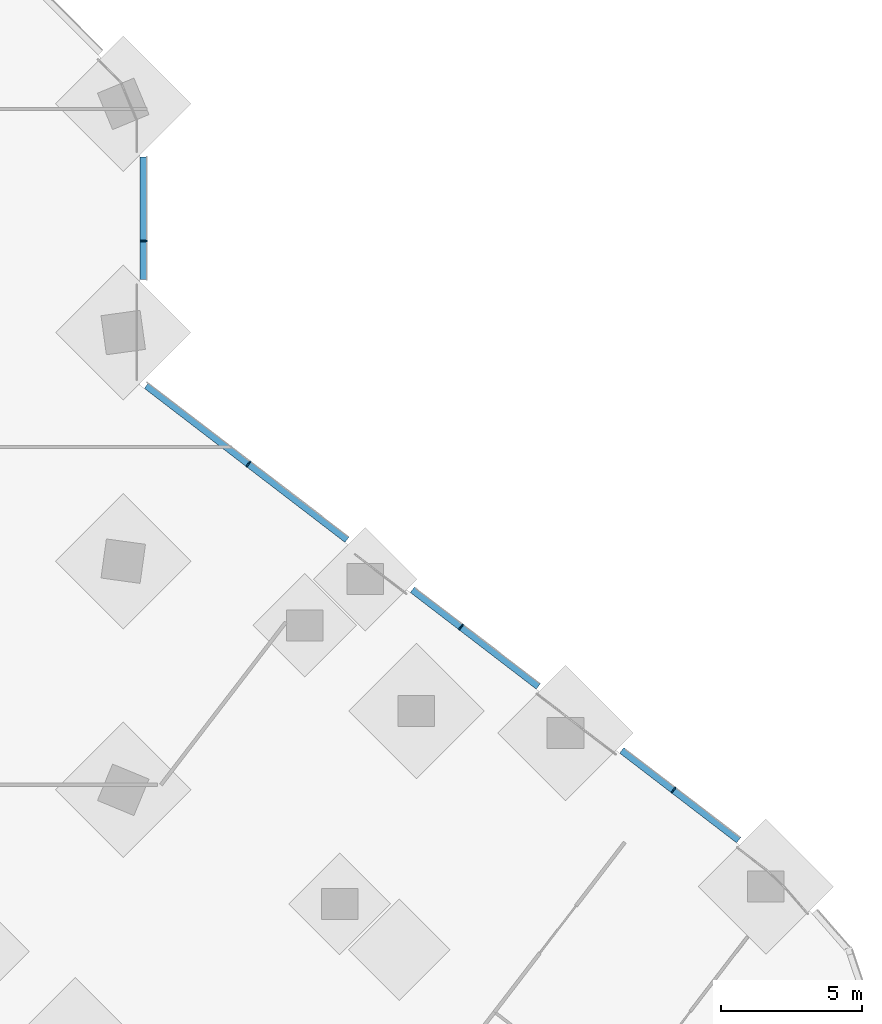
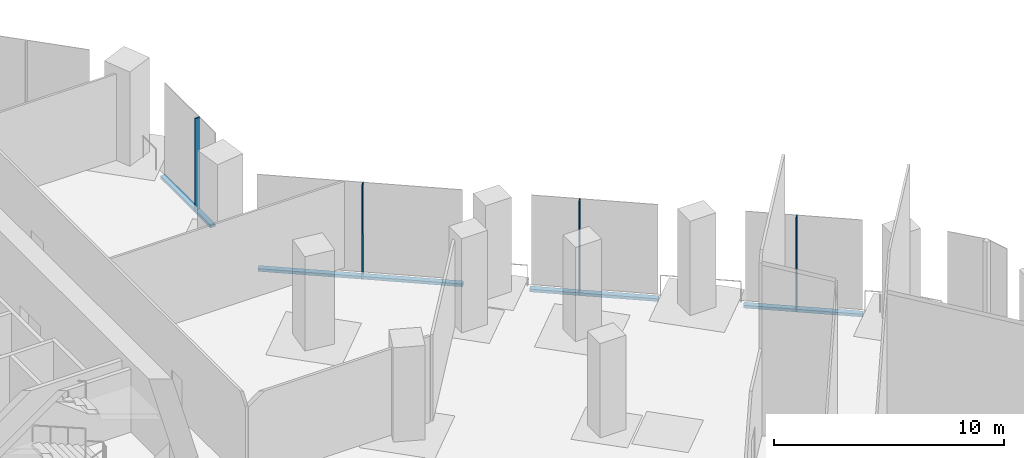
# One storey, part 9 of 27: 8 members, 2 elements without a shape of their own.
"""IFC4 building model written with IfcOpenShell, lengths in metres."""

from ifc_helpers import new_model, si_unit, direction, frame, origin, origin_2d, place, context, subcontext, project, spatial, rectangle, extrude, material, material_profile, profile_set, type_object, element, aggregate, save


model = new_model("IFC4")

# Units and contexts
model_context = context("Model", 3, precision=1e-05, world=origin(), true_north=direction((0.0, 1.0)))
body_context = subcontext(model_context, "Body", "Model", "MODEL_VIEW")
ifc_project = project(units=[si_unit("LENGTHUNIT", "METRE"), si_unit("AREAUNIT", "SQUARE_METRE"), si_unit("VOLUMEUNIT", "CUBIC_METRE"), si_unit("PLANEANGLEUNIT", "RADIAN"), si_unit("MASSUNIT", "GRAM", prefix="KILO")], contexts=[model_context])

# Site, building, storey
site_placement = place(None, origin())
site = spatial("IfcSite", under=ifc_project, at=site_placement, CompositionType="ELEMENT")
building_placement = place(site_placement, origin())
building = spatial("IfcBuilding", under=site, at=building_placement, Name="Orlundy Tower", CompositionType="ELEMENT")
storey_placement = place(building_placement, frame((0.0, 0.0, 10.5)))
storey = spatial("IfcBuildingStorey", under=building, at=storey_placement, Name="L01", CompositionType="ELEMENT", Elevation=10.5)

# Curtain wall, member
ifc_material_1 = material(Name="Aluminium bronze anodised", Category="aluminium")
curtain_wall_type = type_object("IfcCurtainWallType", Name="CW2 wall", PredefinedType="NOTDEFINED", material=ifc_material_1)
curtain_wall_1_placement = place(storey_placement, origin())
curtain_wall_1 = element("IfcCurtainWall", 1, at=curtain_wall_1_placement, inside=storey, type_object=curtain_wall_type, Name="CW2 run 017", PredefinedType="NOTDEFINED")
ifc_material_2 = material(Name="Aluminium bronze anodised", Category="aluminium")
ifc_material_profile_1 = material_profile(ifc_material_2, rectangle(XDim=0.25, YDim=0.050048828125, at=origin_2d()), Name="CW2 mullion 50x250")
ifc_profile_set_1 = profile_set([ifc_material_profile_1], Name="Aluminium bronze anodised")
member_type_1 = type_object("IfcMemberType", Name="CW2 mullion 50x250", PredefinedType="MULLION", material=ifc_profile_set_1)
member_1_placement = place(storey_placement, frame((30.125, 7.30810546875, -0.39990234375), z_axis=(0.0, 0.0, 1.0), x_axis=(1.0, 0.0, 0.0)))
member_1 = element("IfcMember", 2, at=member_1_placement, type_object=member_type_1, Name="CW2 mullion 50", PredefinedType="MULLION", context=body_context, shape_type="SweptSolid", body=[
    extrude(rectangle(XDim=0.25, YDim=0.050048828125, at=origin_2d()), origin(), (0.0, 0.0, 1.0), 5.0),
])

# Curtain wall, members
curtain_wall_2_placement = place(storey_placement, origin())
curtain_wall_2 = element("IfcCurtainWall", 3, at=curtain_wall_2_placement, inside=storey, type_object=curtain_wall_type, Name="CW2 run 018", PredefinedType="NOTDEFINED")
member_2_placement = place(storey_placement, frame((33.848876953125, -0.605712890625, -0.39990234375), z_axis=(0.0, 0.0, 1.0), x_axis=(0.608778774146, 0.793340030598, 0.0)))
member_2 = element("IfcMember", 4, at=member_2_placement, type_object=member_type_1, Name="CW2 mullion 52", PredefinedType="MULLION", context=body_context, shape_type="SweptSolid", body=[
    extrude(rectangle(XDim=0.25, YDim=0.050048828125, at=origin_2d()), origin(), (0.0, 0.0, 1.0), 5.0),
])
member_3_placement = place(storey_placement, frame((41.39404296875, -6.395751953125, -0.39990234375), z_axis=(0.0, 0.0, 1.0), x_axis=(0.608778774146, 0.793340030598, 0.0)))
member_3 = element("IfcMember", 5, at=member_3_placement, type_object=member_type_1, Name="CW2 mullion 54", PredefinedType="MULLION", context=body_context, shape_type="SweptSolid", body=[
    extrude(rectangle(XDim=0.25, YDim=0.050048828125, at=origin_2d()), origin(), (0.0, 0.0, 1.0), 5.0),
])
member_4_placement = place(storey_placement, frame((48.939453125, -12.185791015625, -0.39990234375), z_axis=(0.0, 0.0, 1.0), x_axis=(0.608778774146, 0.793340030598, 0.0)))
member_4 = element("IfcMember", 6, at=member_4_placement, type_object=member_type_1, Name="CW2 mullion 56", PredefinedType="MULLION", context=body_context, shape_type="SweptSolid", body=[
    extrude(rectangle(XDim=0.25, YDim=0.050048828125, at=origin_2d()), origin(), (0.0, 0.0, 1.0), 5.0),
])

# Member
ifc_material_3 = material(Name="Aluminium bronze anodised", Category="aluminium")
ifc_material_profile_2 = material_profile(ifc_material_3, rectangle(XDim=0.25, YDim=0.14990234375, at=origin_2d()), Name="CW2 transom 250x150")
ifc_profile_set_2 = profile_set([ifc_material_profile_2], Name="Aluminium bronze anodised")
member_type_2 = type_object("IfcMemberType", Name="CW2 transom 250x150", PredefinedType="USERDEFINED", material=ifc_profile_set_2)
member_5_placement = place(storey_placement, frame((30.125, 10.28662109375, -0.324951171875), z_axis=(0.0, -1.0, 0.0), x_axis=(1.0, 0.0, 0.0)))
member_5 = element("IfcMember", 7, at=member_5_placement, type_object=member_type_2, Name="CW2 transom", ObjectType="TRANSOM", PredefinedType="USERDEFINED", context=body_context, shape_type="SweptSolid", body=[
    extrude(rectangle(XDim=0.25, YDim=0.14990234375, at=origin_2d()), origin(), (0.0, 0.0, 1.0), 4.33642578125),
])

aggregate(curtain_wall_1, [member_1, member_5])

member_6_placement = place(storey_placement, frame((30.22412109375, 2.175537109375, -0.324951171875), z_axis=(0.793341086431, -0.608777398218, 0.0), x_axis=(0.608777398218, 0.793341086431, 0.0)))
member_6 = element("IfcMember", 8, at=member_6_placement, type_object=member_type_2, Name="CW2 transom", ObjectType="TRANSOM", PredefinedType="USERDEFINED", context=body_context, shape_type="SweptSolid", body=[
    extrude(rectangle(XDim=0.25, YDim=0.14990234375, at=origin_2d()), origin(), (0.0, 0.0, 1.0), 8.979248046875),
])

member_7_placement = place(storey_placement, frame((39.668212890625, -5.071533203125, -0.324951171875), z_axis=(0.793357475915, -0.608756039321, 0.0), x_axis=(0.608756039321, 0.793357475915, 0.0)))
member_7 = element("IfcMember", 9, at=member_7_placement, type_object=member_type_2, Name="CW2 transom", ObjectType="TRANSOM", PredefinedType="USERDEFINED", context=body_context, shape_type="SweptSolid", body=[
    extrude(rectangle(XDim=0.25, YDim=0.14990234375, at=origin_2d()), origin(), (0.0, 0.0, 1.0), 5.637939453125),
])

member_8_placement = place(storey_placement, frame((47.1015625, -10.775634765625, -0.324951171875), z_axis=(0.793358567709, -0.608754616445, 0.0), x_axis=(0.608754616445, 0.793358567709, 0.0)))
member_8 = element("IfcMember", 10, at=member_8_placement, type_object=member_type_2, Name="CW2 transom", ObjectType="TRANSOM", PredefinedType="USERDEFINED", context=body_context, shape_type="SweptSolid", body=[
    extrude(rectangle(XDim=0.25, YDim=0.14990234375, at=origin_2d()), origin(), (0.0, 0.0, 1.0), 5.234375),
])

aggregate(curtain_wall_2, [member_2, member_3, member_4, member_6, member_7, member_8])

save(model, "model.ifc")
